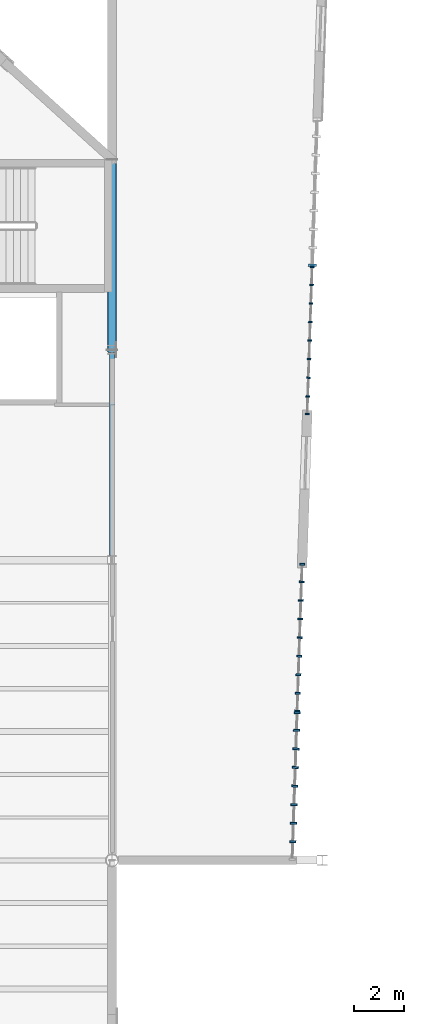
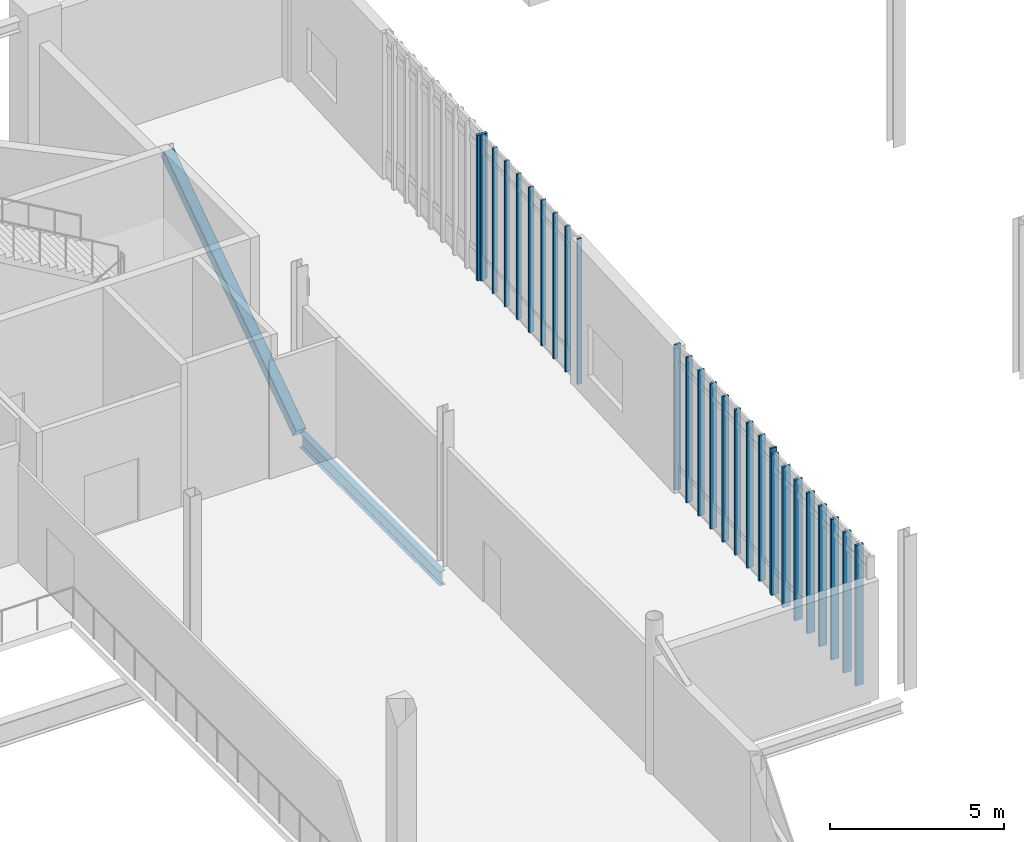
# One storey, part 39 of 127: 28 members, 1 beam, 4 elements without a shape of their own.
"""IFC4 building model written with IfcOpenShell, lengths in metres."""

from ifc_helpers import new_model, si_unit, direction, frame, origin, origin_2d, place, context, subcontext, project, spatial, rectangle, hollow_rectangle, i_section, extrude, material, material_profile, profile_set, type_object, element, aggregate, save


model = new_model("IFC4")

# Units and contexts
model_context = context("Model", 3, precision=1e-05, world=origin(), true_north=direction((0.0, 1.0)))
body_context = subcontext(model_context, "Body", "Model", "MODEL_VIEW")
ifc_project = project(units=[si_unit("LENGTHUNIT", "METRE"), si_unit("AREAUNIT", "SQUARE_METRE"), si_unit("VOLUMEUNIT", "CUBIC_METRE"), si_unit("PLANEANGLEUNIT", "RADIAN"), si_unit("MASSUNIT", "GRAM", prefix="KILO")], contexts=[model_context])

# Site, building, storey
site_placement = place(None, origin())
site = spatial("IfcSite", under=ifc_project, at=site_placement, CompositionType="ELEMENT")
building_placement = place(site_placement, origin())
building = spatial("IfcBuilding", under=site, at=building_placement, Name="Larkvane Passage Sports Hall", CompositionType="ELEMENT")
storey_placement = place(building_placement, frame((0.0, 0.0, 5.39990234375)))
storey = spatial("IfcBuildingStorey", under=building, at=storey_placement, Name="L01", CompositionType="ELEMENT", Elevation=5.39990234375)

# Curtain wall, member
ifc_material_1 = material(Name="Thermally broken aluminium and low-E glazing", Category="aluminium")
curtain_wall_type_1 = type_object("IfcCurtainWallType", Name="CW-CLINIC", PredefinedType="USERDEFINED", material=ifc_material_1)
curtain_wall_1_placement = place(storey_placement, origin())
curtain_wall_1 = element("IfcCurtainWall", 1, at=curtain_wall_1_placement, inside=storey, type_object=curtain_wall_type_1, Name="Curtain wall CW5-L01-043", ObjectType="UNITISED CURTAIN WALL", PredefinedType="USERDEFINED")
ifc_material_2 = material(Name="Anodised aluminium 6063-T6", Category="aluminium")
ifc_material_profile_1 = material_profile(ifc_material_2, rectangle(XDim=0.10009765625, YDim=0.320068359375, at=origin_2d()), Name="ALU-MUL-100x320")
ifc_profile_set_1 = profile_set([ifc_material_profile_1], Name="Anodised aluminium 6063-T6")
member_type_1 = type_object("IfcMemberType", Name="CW-MUL-100x320", PredefinedType="MULLION", material=ifc_profile_set_1)
member_1_placement = place(storey_placement, frame((101.6015625, 87.38330078125, 0.0), z_axis=(0.0, 0.0, 1.0), x_axis=(-0.033688353605, -0.999432386323, 0.0)))
member_1 = element("IfcMember", 2, at=member_1_placement, type_object=member_type_1, Name="CW-05 mullion 9", PredefinedType="MULLION", context=body_context, shape_type="SweptSolid", body=[
    extrude(rectangle(XDim=0.10009765625, YDim=0.320068359375, at=origin_2d()), origin(), (0.0, 0.0, 1.0), 5.10009765625),
])
aggregate(curtain_wall_1, [member_1])

# Curtain wall, members
curtain_wall_type_2 = type_object("IfcCurtainWallType", Name="CW-UNIT-COURT", PredefinedType="USERDEFINED", material=ifc_material_1)
curtain_wall_2_placement = place(storey_placement, origin())
curtain_wall_2 = element("IfcCurtainWall", 3, at=curtain_wall_2_placement, inside=storey, type_object=curtain_wall_type_2, Name="Curtain wall CW5-L01-044", ObjectType="UNITISED CURTAIN WALL", PredefinedType="USERDEFINED")
ifc_material_profile_2 = material_profile(ifc_material_2, rectangle(XDim=0.06005859375, YDim=0.14990234375, at=origin_2d()), Name="ALU-MUL-60x150")
ifc_profile_set_2 = profile_set([ifc_material_profile_2], Name="Anodised aluminium 6063-T6")
member_type_2 = type_object("IfcMemberType", Name="CW-MUL-60x150", PredefinedType="MULLION", material=ifc_profile_set_2)
member_2_placement = place(storey_placement, frame((101.598876953125, 87.30322265625, 0.0), z_axis=(0.0, 0.0, 1.0), x_axis=(-0.033688920742, -0.999432367206, 0.0)))
member_2 = element("IfcMember", 4, at=member_2_placement, type_object=member_type_2, Name="CW-01 mullion 1", PredefinedType="MULLION", context=body_context, shape_type="SweptSolid", body=[
    extrude(rectangle(XDim=0.06005859375, YDim=0.14990234375, at=origin_2d()), origin(), (0.0, 0.0, 1.0), 5.10009765625),
])
member_3_placement = place(storey_placement, frame((101.574951171875, 86.591552734375, 0.0), z_axis=(0.0, 0.0, 1.0), x_axis=(-0.033688920742, -0.999432367206, 0.0)))
member_3 = element("IfcMember", 5, at=member_3_placement, type_object=member_type_2, Name="CW-01 mullion 2", PredefinedType="MULLION", context=body_context, shape_type="SweptSolid", body=[
    extrude(rectangle(XDim=0.06005859375, YDim=0.14990234375, at=origin_2d()), origin(), (0.0, 0.0, 1.0), 5.10009765625),
])
member_4_placement = place(storey_placement, frame((101.550048828125, 85.849853515625, 0.0), z_axis=(0.0, 0.0, 1.0), x_axis=(-0.033688920742, -0.999432367206, 0.0)))
member_4 = element("IfcMember", 6, at=member_4_placement, type_object=member_type_2, Name="CW-01 mullion 3", PredefinedType="MULLION", context=body_context, shape_type="SweptSolid", body=[
    extrude(rectangle(XDim=0.06005859375, YDim=0.14990234375, at=origin_2d()), origin(), (0.0, 0.0, 1.0), 5.10009765625),
])
member_5_placement = place(storey_placement, frame((101.52490234375, 85.1083984375, 0.0), z_axis=(0.0, 0.0, 1.0), x_axis=(-0.033688920742, -0.999432367206, 0.0)))
member_5 = element("IfcMember", 7, at=member_5_placement, type_object=member_type_2, Name="CW-01 mullion 4", PredefinedType="MULLION", context=body_context, shape_type="SweptSolid", body=[
    extrude(rectangle(XDim=0.06005859375, YDim=0.14990234375, at=origin_2d()), origin(), (0.0, 0.0, 1.0), 5.10009765625),
])
member_6_placement = place(storey_placement, frame((101.5, 84.36669921875, 0.0), z_axis=(0.0, 0.0, 1.0), x_axis=(-0.033688920742, -0.999432367206, 0.0)))
member_6 = element("IfcMember", 8, at=member_6_placement, type_object=member_type_2, Name="CW-01 mullion 5", PredefinedType="MULLION", context=body_context, shape_type="SweptSolid", body=[
    extrude(rectangle(XDim=0.06005859375, YDim=0.14990234375, at=origin_2d()), origin(), (0.0, 0.0, 1.0), 5.10009765625),
])
member_7_placement = place(storey_placement, frame((101.47509765625, 83.625, 0.0), z_axis=(0.0, 0.0, 1.0), x_axis=(-0.033688920742, -0.999432367206, 0.0)))
member_7 = element("IfcMember", 9, at=member_7_placement, type_object=member_type_2, Name="CW-01 mullion 6", PredefinedType="MULLION", context=body_context, shape_type="SweptSolid", body=[
    extrude(rectangle(XDim=0.06005859375, YDim=0.14990234375, at=origin_2d()), origin(), (0.0, 0.0, 1.0), 5.10009765625),
])
member_8_placement = place(storey_placement, frame((101.449951171875, 82.88330078125, 0.0), z_axis=(0.0, 0.0, 1.0), x_axis=(-0.033688920742, -0.999432367206, 0.0)))
member_8 = element("IfcMember", 10, at=member_8_placement, type_object=member_type_2, Name="CW-01 mullion 7", PredefinedType="MULLION", context=body_context, shape_type="SweptSolid", body=[
    extrude(rectangle(XDim=0.06005859375, YDim=0.14990234375, at=origin_2d()), origin(), (0.0, 0.0, 1.0), 5.10009765625),
])
member_9_placement = place(storey_placement, frame((101.425048828125, 82.1416015625, 0.0), z_axis=(0.0, 0.0, 1.0), x_axis=(-0.033688920742, -0.999432367206, 0.0)))
member_9 = element("IfcMember", 11, at=member_9_placement, type_object=member_type_2, Name="CW-01 mullion 8", PredefinedType="MULLION", context=body_context, shape_type="SweptSolid", body=[
    extrude(rectangle(XDim=0.06005859375, YDim=0.14990234375, at=origin_2d()), origin(), (0.0, 0.0, 1.0), 5.10009765625),
])
member_10_placement = place(storey_placement, frame((101.401123046875, 81.429931640625, 0.0), z_axis=(0.0, 0.0, 1.0), x_axis=(-0.033688920742, -0.999432367206, 0.0)))
member_10 = element("IfcMember", 12, at=member_10_placement, type_object=member_type_2, Name="CW-01 mullion 9", PredefinedType="MULLION", context=body_context, shape_type="SweptSolid", body=[
    extrude(rectangle(XDim=0.06005859375, YDim=0.14990234375, at=origin_2d()), origin(), (0.0, 0.0, 1.0), 5.10009765625),
])
aggregate(curtain_wall_2, [member_2, member_3, member_4, member_5, member_6, member_7, member_8, member_9, member_10])

curtain_wall_type_3 = type_object("IfcCurtainWallType", Name="CW-UNIT-VEIL", PredefinedType="USERDEFINED", material=ifc_material_1)
curtain_wall_3_placement = place(storey_placement, origin())
curtain_wall_3 = element("IfcCurtainWall", 13, at=curtain_wall_3_placement, inside=storey, type_object=curtain_wall_type_3, Name="Curtain wall CW5-L01-045", ObjectType="UNITISED CURTAIN WALL", PredefinedType="USERDEFINED")
ifc_material_profile_3 = material_profile(ifc_material_2, rectangle(XDim=0.070068359375, YDim=0.199951171875, at=origin_2d()), Name="ALU-MUL-70x200")
ifc_profile_set_3 = profile_set([ifc_material_profile_3], Name="Anodised aluminium 6063-T6")
member_type_3 = type_object("IfcMemberType", Name="CW-MUL-70x200", PredefinedType="MULLION", material=ifc_profile_set_3)
member_11_placement = place(storey_placement, frame((101.19873046875, 75.431640625, 0.0), z_axis=(0.0, 0.0, 1.0), x_axis=(-0.033688353605, -0.999432386323, 0.0)))
member_11 = element("IfcMember", 14, at=member_11_placement, type_object=member_type_3, Name="CW-02 mullion 1", PredefinedType="MULLION", context=body_context, shape_type="SweptSolid", body=[
    extrude(rectangle(XDim=0.070068359375, YDim=0.199951171875, at=origin_2d()), origin(), (0.0, 0.0, 1.0), 5.10009765625),
])
member_12_placement = place(storey_placement, frame((101.175048828125, 74.72509765625, 0.0), z_axis=(0.0, 0.0, 1.0), x_axis=(-0.033688353605, -0.999432386323, 0.0)))
member_12 = element("IfcMember", 15, at=member_12_placement, type_object=member_type_3, Name="CW-02 mullion 2", PredefinedType="MULLION", context=body_context, shape_type="SweptSolid", body=[
    extrude(rectangle(XDim=0.070068359375, YDim=0.199951171875, at=origin_2d()), origin(), (0.0, 0.0, 1.0), 5.10009765625),
])
member_13_placement = place(storey_placement, frame((101.14990234375, 73.9833984375, 0.0), z_axis=(0.0, 0.0, 1.0), x_axis=(-0.033688353605, -0.999432386323, 0.0)))
member_13 = element("IfcMember", 16, at=member_13_placement, type_object=member_type_3, Name="CW-02 mullion 3", PredefinedType="MULLION", context=body_context, shape_type="SweptSolid", body=[
    extrude(rectangle(XDim=0.070068359375, YDim=0.199951171875, at=origin_2d()), origin(), (0.0, 0.0, 1.0), 5.10009765625),
])
member_14_placement = place(storey_placement, frame((101.125, 73.24169921875, 0.0), z_axis=(0.0, 0.0, 1.0), x_axis=(-0.033688353605, -0.999432386323, 0.0)))
member_14 = element("IfcMember", 17, at=member_14_placement, type_object=member_type_3, Name="CW-02 mullion 4", PredefinedType="MULLION", context=body_context, shape_type="SweptSolid", body=[
    extrude(rectangle(XDim=0.070068359375, YDim=0.199951171875, at=origin_2d()), origin(), (0.0, 0.0, 1.0), 5.10009765625),
])
member_15_placement = place(storey_placement, frame((101.10009765625, 72.5, 0.0), z_axis=(0.0, 0.0, 1.0), x_axis=(-0.033688353605, -0.999432386323, 0.0)))
member_15 = element("IfcMember", 18, at=member_15_placement, type_object=member_type_3, Name="CW-02 mullion 5", PredefinedType="MULLION", context=body_context, shape_type="SweptSolid", body=[
    extrude(rectangle(XDim=0.070068359375, YDim=0.199951171875, at=origin_2d()), origin(), (0.0, 0.0, 1.0), 5.10009765625),
])
member_16_placement = place(storey_placement, frame((101.074951171875, 71.75830078125, 0.0), z_axis=(0.0, 0.0, 1.0), x_axis=(-0.033688353605, -0.999432386323, 0.0)))
member_16 = element("IfcMember", 19, at=member_16_placement, type_object=member_type_3, Name="CW-02 mullion 6", PredefinedType="MULLION", context=body_context, shape_type="SweptSolid", body=[
    extrude(rectangle(XDim=0.070068359375, YDim=0.199951171875, at=origin_2d()), origin(), (0.0, 0.0, 1.0), 5.10009765625),
])
member_17_placement = place(storey_placement, frame((101.050048828125, 71.0166015625, 0.0), z_axis=(0.0, 0.0, 1.0), x_axis=(-0.033688353605, -0.999432386323, 0.0)))
member_17 = element("IfcMember", 20, at=member_17_placement, type_object=member_type_3, Name="CW-02 mullion 7", PredefinedType="MULLION", context=body_context, shape_type="SweptSolid", body=[
    extrude(rectangle(XDim=0.070068359375, YDim=0.199951171875, at=origin_2d()), origin(), (0.0, 0.0, 1.0), 5.10009765625),
])
member_18_placement = place(storey_placement, frame((101.02490234375, 70.27490234375, 0.0), z_axis=(0.0, 0.0, 1.0), x_axis=(-0.033688353605, -0.999432386323, 0.0)))
member_18 = element("IfcMember", 21, at=member_18_placement, type_object=member_type_3, Name="CW-02 mullion 8", PredefinedType="MULLION", context=body_context, shape_type="SweptSolid", body=[
    extrude(rectangle(XDim=0.070068359375, YDim=0.199951171875, at=origin_2d()), origin(), (0.0, 0.0, 1.0), 5.10009765625),
])
member_19_placement = place(storey_placement, frame((101.001220703125, 69.568359375, 0.0), z_axis=(0.0, 0.0, 1.0), x_axis=(-0.033688353605, -0.999432386323, 0.0)))
member_19 = element("IfcMember", 22, at=member_19_placement, type_object=member_type_3, Name="CW-02 mullion 9", PredefinedType="MULLION", context=body_context, shape_type="SweptSolid", body=[
    extrude(rectangle(XDim=0.070068359375, YDim=0.199951171875, at=origin_2d()), origin(), (0.0, 0.0, 1.0), 5.10009765625),
])
aggregate(curtain_wall_3, [member_11, member_12, member_13, member_14, member_15, member_16, member_17, member_18, member_19])

curtain_wall_type_4 = type_object("IfcCurtainWallType", Name="CW-STICK-FOYER", PredefinedType="USERDEFINED", material=ifc_material_1)
curtain_wall_4_placement = place(storey_placement, origin())
curtain_wall_4 = element("IfcCurtainWall", 23, at=curtain_wall_4_placement, inside=storey, type_object=curtain_wall_type_4, Name="Curtain wall CW5-L01-046", ObjectType="STICK CURTAIN WALL", PredefinedType="USERDEFINED")
ifc_material_profile_4 = material_profile(ifc_material_2, rectangle(XDim=0.080078125, YDim=0.25, at=origin_2d()), Name="ALU-MUL-80x250")
ifc_profile_set_4 = profile_set([ifc_material_profile_4], Name="Anodised aluminium 6063-T6")
member_type_4 = type_object("IfcMemberType", Name="CW-MUL-80x250", PredefinedType="MULLION", material=ifc_profile_set_4)
member_20_placement = place(storey_placement, frame((100.99853515625, 69.493408203125, 0.0), z_axis=(0.0, 0.0, 1.0), x_axis=(-0.033688920742, -0.999432367206, 0.0)))
member_20 = element("IfcMember", 24, at=member_20_placement, type_object=member_type_4, Name="CW-03 mullion 1", PredefinedType="MULLION", context=body_context, shape_type="SweptSolid", body=[
    extrude(rectangle(XDim=0.080078125, YDim=0.25, at=origin_2d()), origin(), (0.0, 0.0, 1.0), 4.93798828125),
])
member_21_placement = place(storey_placement, frame((100.97509765625, 68.791748046875, 0.0), z_axis=(0.0, 0.0, 1.0), x_axis=(-0.033688920742, -0.999432367206, 0.0)))
member_21 = element("IfcMember", 25, at=member_21_placement, type_object=member_type_4, Name="CW-03 mullion 2", PredefinedType="MULLION", context=body_context, shape_type="SweptSolid", body=[
    extrude(rectangle(XDim=0.080078125, YDim=0.25, at=origin_2d()), origin(), (0.0, 0.0, 1.0), 4.93798828125),
])
member_22_placement = place(storey_placement, frame((100.949951171875, 68.050048828125, 0.0), z_axis=(0.0, 0.0, 1.0), x_axis=(-0.033688920742, -0.999432367206, 0.0)))
member_22 = element("IfcMember", 26, at=member_22_placement, type_object=member_type_4, Name="CW-03 mullion 3", PredefinedType="MULLION", context=body_context, shape_type="SweptSolid", body=[
    extrude(rectangle(XDim=0.080078125, YDim=0.25, at=origin_2d()), origin(), (0.0, 0.0, 1.0), 4.93798828125),
])
member_23_placement = place(storey_placement, frame((100.925048828125, 67.308349609375, 0.0), z_axis=(0.0, 0.0, 1.0), x_axis=(-0.033688920742, -0.999432367206, 0.0)))
member_23 = element("IfcMember", 27, at=member_23_placement, type_object=member_type_4, Name="CW-03 mullion 4", PredefinedType="MULLION", context=body_context, shape_type="SweptSolid", body=[
    extrude(rectangle(XDim=0.080078125, YDim=0.25, at=origin_2d()), origin(), (0.0, 0.0, 1.0), 4.93798828125),
])
member_24_placement = place(storey_placement, frame((100.89990234375, 66.566650390625, 0.0), z_axis=(0.0, 0.0, 1.0), x_axis=(-0.033688920742, -0.999432367206, 0.0)))
member_24 = element("IfcMember", 28, at=member_24_placement, type_object=member_type_4, Name="CW-03 mullion 5", PredefinedType="MULLION", context=body_context, shape_type="SweptSolid", body=[
    extrude(rectangle(XDim=0.080078125, YDim=0.25, at=origin_2d()), origin(), (0.0, 0.0, 1.0), 4.93798828125),
])
member_25_placement = place(storey_placement, frame((100.875, 65.824951171875, 0.0), z_axis=(0.0, 0.0, 1.0), x_axis=(-0.033688920742, -0.999432367206, 0.0)))
member_25 = element("IfcMember", 29, at=member_25_placement, type_object=member_type_4, Name="CW-03 mullion 6", PredefinedType="MULLION", context=body_context, shape_type="SweptSolid", body=[
    extrude(rectangle(XDim=0.080078125, YDim=0.25, at=origin_2d()), origin(), (0.0, 0.0, 1.0), 4.93798828125),
])
member_26_placement = place(storey_placement, frame((100.85009765625, 65.083251953125, 0.0), z_axis=(0.0, 0.0, 1.0), x_axis=(-0.033688920742, -0.999432367206, 0.0)))
member_26 = element("IfcMember", 30, at=member_26_placement, type_object=member_type_4, Name="CW-03 mullion 7", PredefinedType="MULLION", context=body_context, shape_type="SweptSolid", body=[
    extrude(rectangle(XDim=0.080078125, YDim=0.25, at=origin_2d()), origin(), (0.0, 0.0, 1.0), 4.93798828125),
])
member_27_placement = place(storey_placement, frame((100.824951171875, 64.341552734375, 0.0), z_axis=(0.0, 0.0, 1.0), x_axis=(-0.033688920742, -0.999432367206, 0.0)))
member_27 = element("IfcMember", 31, at=member_27_placement, type_object=member_type_4, Name="CW-03 mullion 8", PredefinedType="MULLION", context=body_context, shape_type="SweptSolid", body=[
    extrude(rectangle(XDim=0.080078125, YDim=0.25, at=origin_2d()), origin(), (0.0, 0.0, 1.0), 4.93798828125),
])
aggregate(curtain_wall_4, [member_20, member_21, member_22, member_23, member_24, member_25, member_26, member_27])

# Member
ifc_material_3 = material(Name="Steel S460N", Category="steel")
ifc_material_profile_5 = material_profile(ifc_material_3, hollow_rectangle(XDim=0.35009765625, YDim=0.35009765625, WallThickness=0.01611328125, InnerFilletRadius=0.01611328125, OuterFilletRadius=0.031982421875, at=origin_2d()), Name="SHS-350x350x16")
ifc_profile_set_5 = profile_set([ifc_material_profile_5], Name="Steel S460N")
member_type_5 = type_object("IfcMemberType", Name="MBR-BR-SHS350", PredefinedType="BRACE", material=ifc_profile_set_5)
member_28_placement = place(storey_placement, frame((93.60009765625, 84.0, -0.52392578125), z_axis=(0.0, 0.824806521197, 0.565415071068), x_axis=(-1.0, 0.0, 0.0)))
element("IfcMember", 32, at=member_28_placement, inside=storey, type_object=member_type_5, Name="Cantilever truss CT-N1A-2 web diagonal 1", PredefinedType="BRACE", context=body_context, shape_type="SweptSolid", body=[
    extrude(hollow_rectangle(XDim=0.35009765625, YDim=0.35009765625, WallThickness=0.01611328125, InnerFilletRadius=0.01611328125, OuterFilletRadius=0.031982421875, at=origin_2d()), origin(), (0.0, 0.0, 1.0), 9.21435546875),
])

# Beam
ifc_material_4 = material(Name="Steel S355JR", Category="steel")
ifc_material_profile_6 = material_profile(ifc_material_4, i_section(OverallWidth=0.199951171875, OverallDepth=0.5, WebThickness=0.010009765625, FlangeThickness=0.01611328125, FilletRadius=0.01806640625, at=origin_2d()), Name="H-500x200x10x16")
ifc_profile_set_6 = profile_set([ifc_material_profile_6], Name="Steel S355JR")
beam_type = type_object("IfcBeamType", Name="SP-STL-H500", PredefinedType="SPANDREL", material=ifc_profile_set_6)
beam_placement = place(storey_placement, frame((93.60009765625, 75.77490234375, -0.669921875), z_axis=(0.0, 1.0, 0.0), x_axis=(-1.0, 0.0, 0.0)))
element("IfcBeam", 33, at=beam_placement, inside=storey, type_object=beam_type, Name="Girder BM5-Y-L01-13-0488", PredefinedType="SPANDREL", context=body_context, shape_type="SweptSolid", body=[
    extrude(i_section(OverallWidth=0.199951171875, OverallDepth=0.5, WebThickness=0.010009765625, FlangeThickness=0.01611328125, FilletRadius=0.01806640625, at=origin_2d()), origin(), (0.0, 0.0, 1.0), 8.050048828125),
])

save(model, "model.ifc")
